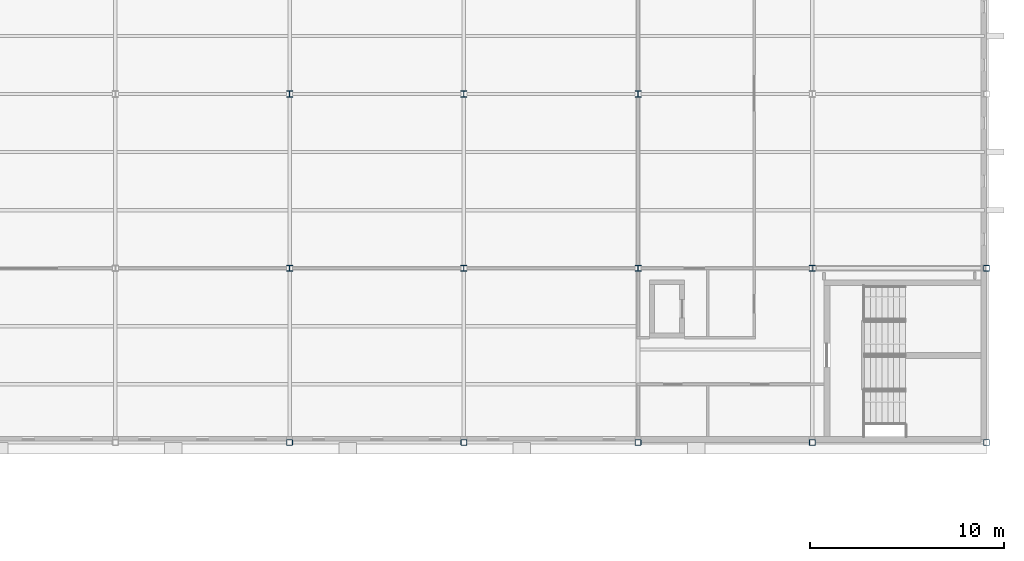
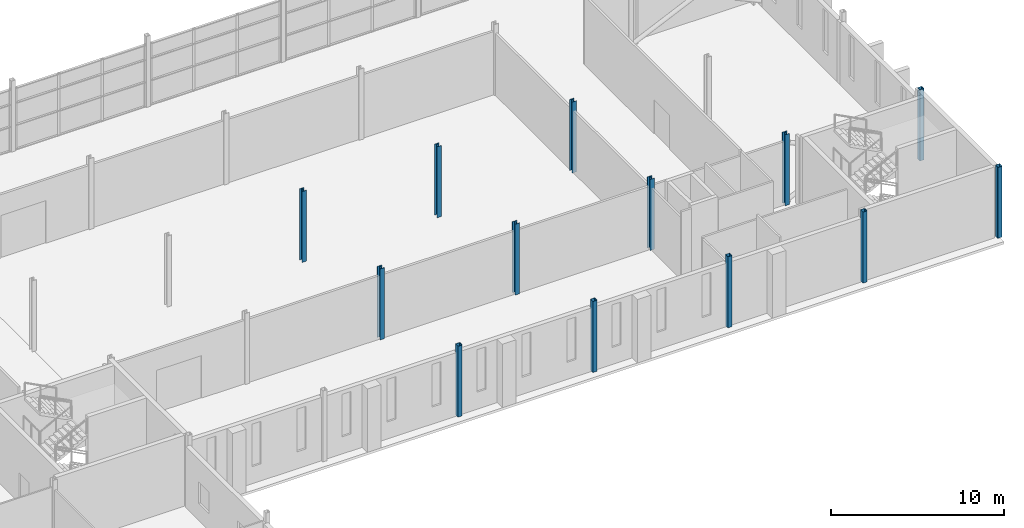
# One storey, part 15 of 112: 13 columns.
"""IFC4 building model written with IfcOpenShell, lengths in metres."""

from ifc_helpers import new_model, si_unit, direction, frame, origin, origin_2d, place, context, subcontext, project, spatial, hollow_rectangle, i_section, extrude, material, material_profile, profile_set, type_object, element, save


model = new_model("IFC4")

# Units and contexts
model_context = context("Model", 3, precision=1e-05, world=origin(), true_north=direction((0.0, 1.0)))
body_context = subcontext(model_context, "Body", "Model", "MODEL_VIEW")
ifc_project = project(units=[si_unit("LENGTHUNIT", "METRE"), si_unit("AREAUNIT", "SQUARE_METRE"), si_unit("VOLUMEUNIT", "CUBIC_METRE"), si_unit("PLANEANGLEUNIT", "RADIAN"), si_unit("MASSUNIT", "GRAM", prefix="KILO")], contexts=[model_context])

# Site, building, storey
site_placement = place(None, origin())
site = spatial("IfcSite", under=ifc_project, at=site_placement, CompositionType="ELEMENT")
building_placement = place(site_placement, origin())
building = spatial("IfcBuilding", under=site, at=building_placement, Name="Shorebreak Coast Museum", CompositionType="ELEMENT")
storey_placement = place(building_placement, frame((0.0, 0.0, 6.0)))
storey = spatial("IfcBuildingStorey", under=building, at=storey_placement, Name="L01", CompositionType="ELEMENT", Elevation=6.0)

# Columns
ifc_material_1 = material(Name="Steel Grade C450L0", Category="steel")
ifc_material_profile_1 = material_profile(ifc_material_1, hollow_rectangle(XDim=0.300048828125, YDim=0.300048828125, WallThickness=0.012451171875, InnerFilletRadius=0.018798828125, OuterFilletRadius=0.03125, at=origin_2d()), Name="300x300x12.5 SHS")
ifc_profile_set_1 = profile_set([ifc_material_profile_1], Name="Steel Grade C450L0")
column_type_1 = type_object("IfcColumnType", Name="Column 300x300x12.5 SHS", PredefinedType="COLUMN", material=ifc_profile_set_1)
for number, where, z_axis, x_axis, name in (
    (1, (135.0, 54.0, 0.0), (0.0, 0.0, 1.0), (1.0, 0.0, 0.0), "Column L01 16G"),
    (2, (144.0, 54.0, 0.0), (0.0, 0.0, 1.0), (1.0, 0.0, 0.0), "Column L01 17G"),
    (3, (153.0, 54.0, 0.0), (0.0, 0.0, 1.0), (1.0, 0.0, 0.0), "Column L01 18G"),
    (4, (162.0, 54.0, 0.0), (0.0, 0.0, 1.0), (1.0, 0.0, 0.0), "Column L01 19G"),
    (5, (171.0, 54.0, 0.0), (0.0, 0.0, 1.0), (1.0, 0.0, 0.0), "Column L01 20G"),
    (6, (171.0, 63.0, 0.0), (0.0, 0.0, 1.0), (1.0, 0.0, 0.0), "Column L01 20H"),
):
    element("IfcColumn", number, at=place(storey_placement, frame(where, z_axis=z_axis, x_axis=x_axis)), inside=storey, type_object=column_type_1, Name=name, PredefinedType="COLUMN", context=body_context, shape_type="SweptSolid", body=[
        extrude(hollow_rectangle(XDim=0.300048828125, YDim=0.300048828125, WallThickness=0.012451171875, InnerFilletRadius=0.018798828125, OuterFilletRadius=0.03125, at=origin_2d()), origin(), (0.0, 0.0, 1.0), 5.0),
    ])
ifc_material_2 = material(Name="Steel Grade 300", Category="steel")
ifc_material_profile_2 = material_profile(ifc_material_2, i_section(OverallWidth=0.30908203125, OverallDepth=0.320556640625, WebThickness=0.013916015625, FlangeThickness=0.021728515625, FilletRadius=0.0166015625, at=origin_2d()), Name="310UC137")
ifc_profile_set_2 = profile_set([ifc_material_profile_2], Name="Steel Grade 300")
column_type_2 = type_object("IfcColumnType", Name="Column 310UC137", PredefinedType="COLUMN", material=ifc_profile_set_2)
for number, where, z_axis, x_axis, name in (
    (7, (135.0, 63.0, 0.0), (0.0, 0.0, 1.0), (1.0, 0.0, 0.0), "Column L01 16H"),
    (8, (144.0, 63.0, 0.0), (0.0, 0.0, 1.0), (1.0, 0.0, 0.0), "Column L01 17H"),
    (9, (153.0, 63.0, 0.0), (0.0, 0.0, 1.0), (1.0, 0.0, 0.0), "Column L01 18H"),
    (10, (162.0, 63.0, 0.0), (0.0, 0.0, 1.0), (1.0, 0.0, 0.0), "Column L01 19H"),
    (11, (135.0, 72.0, 0.0), (0.0, 0.0, 1.0), (1.0, 0.0, 0.0), "Column L01 16J"),
    (12, (144.0, 72.0, 0.0), (0.0, 0.0, 1.0), (1.0, 0.0, 0.0), "Column L01 17J"),
    (13, (153.0, 72.0, 0.0), (0.0, 0.0, 1.0), (1.0, 0.0, 0.0), "Column L01 18J"),
):
    element("IfcColumn", number, at=place(storey_placement, frame(where, z_axis=z_axis, x_axis=x_axis)), inside=storey, type_object=column_type_2, Name=name, PredefinedType="COLUMN", context=body_context, shape_type="SweptSolid", body=[
        extrude(i_section(OverallWidth=0.30908203125, OverallDepth=0.320556640625, WebThickness=0.013916015625, FlangeThickness=0.021728515625, FilletRadius=0.0166015625, at=origin_2d()), origin(), (0.0, 0.0, 1.0), 5.0),
    ])

save(model, "model.ifc")
